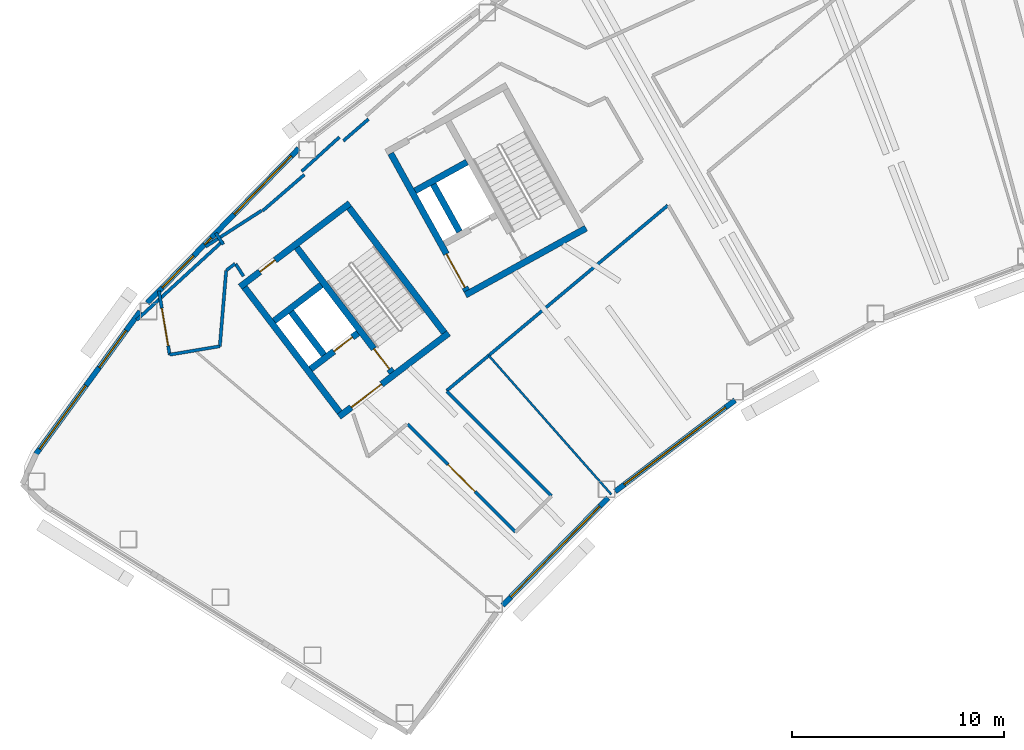
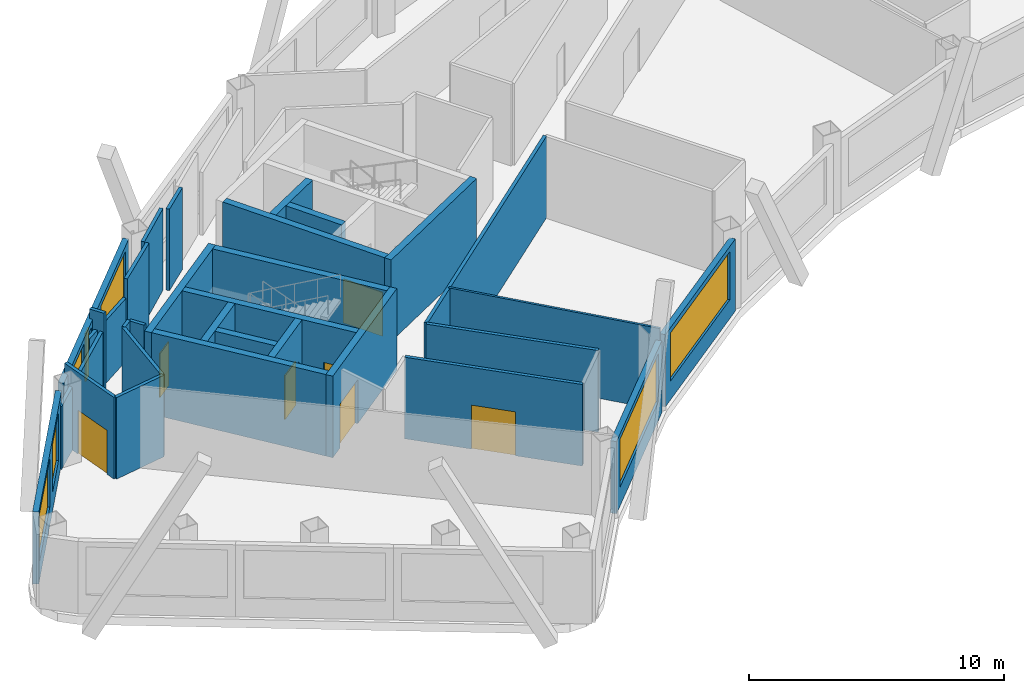
# One storey, part 5 of 13: 31 walls, 7 doors, 7 windows, 14 openings.
"""IFC4 building model written with IfcOpenShell, lengths in metres."""

from ifc_helpers import new_model, si_unit, direction, frame, frame_2d, origin, place, context, subcontext, project, spatial, rectangle, extrude, material, layer, layer_set, type_object, element, fill, save


model = new_model("IFC4")

# Units and contexts
model_context = context("Model", 3, precision=1e-05, world=origin(), true_north=direction((0.0, 1.0)))
body_context = subcontext(model_context, "Body", "Model", "MODEL_VIEW")
ifc_project = project(units=[si_unit("LENGTHUNIT", "METRE"), si_unit("AREAUNIT", "SQUARE_METRE"), si_unit("VOLUMEUNIT", "CUBIC_METRE"), si_unit("PLANEANGLEUNIT", "RADIAN"), si_unit("MASSUNIT", "GRAM", prefix="KILO")], contexts=[model_context])

# Site, building, storey
site_placement = place(None, origin())
site = spatial("IfcSite", under=ifc_project, at=site_placement, CompositionType="ELEMENT")
building_placement = place(site_placement, origin())
building = spatial("IfcBuilding", under=site, at=building_placement, Name="Tuul Gate Civic Tower", CompositionType="ELEMENT")
storey_placement = place(building_placement, frame((0.0, 0.0, 248.39990234375)))
storey = spatial("IfcBuildingStorey", under=building, at=storey_placement, Name="Level 56", CompositionType="ELEMENT", Elevation=248.39990234375)

# Wall, opening, door
ifc_material_1 = material(Name="Concrete C50/60", Category="concrete")
ifc_layer_1 = layer(ifc_material_1, 0.300048828125)
ifc_layer_set_1 = layer_set([ifc_layer_1], Name="Concrete C50/60")
wall_type_1 = type_object("IfcWallType", Name="Core wall C50/60", PredefinedType="SHEAR", material=ifc_layer_set_1)
wall_1_placement = place(storey_placement, frame((-31.19091796875, -13.669677734375, 0.0), z_axis=(0.0, 0.0, 1.0), x_axis=(-0.795606717756, -0.605813461934, 0.0)))
wall_1 = element("IfcWall", 1, at=wall_1_placement, inside=storey, type_object=wall_type_1, Name="Core wall", PredefinedType="SHEAR", context=body_context, shape_type="SweptSolid", body=[
    extrude(rectangle(XDim=6.5, YDim=0.300048828125, at=frame_2d((3.25, 0.0))), origin(), (0.0, 0.0, 1.0), 3.900146484375),
])
opening_1_placement = place(wall_1_placement, frame((3.97509765625, 0.0, 0.0)))
opening_1 = element("IfcOpeningElement", 2, at=opening_1_placement, cuts=wall_1, Name="Opening LB-W1-LOBBY-1", PredefinedType="OPENING", context=body_context, shape_type="SweptSolid", body=[
    extrude(rectangle(XDim=1.800048828125, YDim=2.10009765625, at=frame_2d((0.89990234375, 1.050048828125))), frame((0.0, 0.16015625, 0.0), z_axis=(0.0, -1.0, 0.0), x_axis=(1.0, 0.0, 0.0)), (0.0, 0.0, 1.0), 0.320068359375),
])
ifc_material_2 = material(Name="Steel", Category="steel")
door_type_1 = type_object("IfcDoorType", Name="Lobby door", OperationType="DOUBLE_DOOR_SINGLE_SWING", PredefinedType="DOOR", material=ifc_material_2)
door_1_placement = place(opening_1_placement, origin())
door_1 = element("IfcDoor", 3, at=door_1_placement, inside=storey, type_object=door_type_1, Name="Lobby door W1-LOBBY", OperationType="DOUBLE_DOOR_SINGLE_SWING", OverallHeight=2.10009765625, OverallWidth=1.800048828125, PredefinedType="DOOR", context=body_context, shape_type="SweptSolid", body=[
    extrude(rectangle(XDim=1.800048828125, YDim=2.10009765625, at=frame_2d((0.89990234375, 1.050048828125))), frame((0.0, 0.02490234375, 0.0), z_axis=(0.0, -1.0, 0.0), x_axis=(1.0, 0.0, 0.0)), (0.0, 0.0, 1.0), 0.050048828125),
])
fill(opening_1, door_1)

wall_2_placement = place(storey_placement, frame((-35.470947265625, -13.66064453125, 0.0), z_axis=(0.0, 0.0, 1.0), x_axis=(-0.795615822227, -0.605801504968, 0.0)))
wall_2 = element("IfcWall", 4, at=wall_2_placement, inside=storey, type_object=wall_type_1, Name="Core wall", PredefinedType="SHEAR", context=body_context, shape_type="SweptSolid", body=[
    extrude(rectangle(XDim=2.800048828125, YDim=0.300048828125, at=frame_2d((1.39990234375, 0.0))), origin(), (0.0, 0.0, 1.0), 3.900146484375),
])
opening_2_placement = place(wall_2_placement, frame((0.324951171875, 0.0, 0.0)))
opening_2 = element("IfcOpeningElement", 5, at=opening_2_placement, cuts=wall_2, Name="Opening LD-H1", PredefinedType="OPENING", context=body_context, shape_type="SweptSolid", body=[
    extrude(rectangle(XDim=1.10009765625, YDim=2.10009765625, at=frame_2d((0.550048828125, 1.050048828125))), frame((0.0, 0.16015625, 0.0), z_axis=(0.0, -1.0, 0.0), x_axis=(1.0, 0.0, 0.0)), (0.0, 0.0, 1.0), 0.320068359375),
])
ifc_material_3 = material(Name="Stainless steel", Category="steel")
door_type_2 = type_object("IfcDoorType", Name="Landing door", OperationType="DOUBLE_DOOR_SLIDING", PredefinedType="DOOR", material=ifc_material_3)
door_2_placement = place(opening_2_placement, origin())
door_2 = element("IfcDoor", 6, at=door_2_placement, inside=storey, type_object=door_type_2, Name="High-rise lift H1 landing door", OperationType="DOUBLE_DOOR_SLIDING", OverallHeight=2.10009765625, OverallWidth=1.10009765625, PredefinedType="DOOR", context=body_context, shape_type="SweptSolid", body=[
    extrude(rectangle(XDim=1.10009765625, YDim=2.10009765625, at=frame_2d((0.550048828125, 1.050048828125))), frame((0.0, 0.02490234375, 0.0), z_axis=(0.0, -1.0, 0.0), x_axis=(1.0, 0.0, 0.0)), (0.0, 0.0, 1.0), 0.050048828125),
])
fill(opening_2, door_2)

# Wall
wall_3_placement = place(storey_placement, frame((-37.197509765625, -11.39306640625, 0.0), z_axis=(0.0, 0.0, 1.0), x_axis=(-0.795583820278, -0.605843531707, 0.0)))
element("IfcWall", 7, at=wall_3_placement, inside=storey, type_object=wall_type_1, Name="Core wall", PredefinedType="SHEAR", context=body_context, shape_type="SweptSolid", body=[
    extrude(rectangle(XDim=2.7998046875, YDim=0.300048828125, at=frame_2d((1.39990234375, 0.0))), origin(), (0.0, 0.0, 1.0), 3.900146484375),
])

# Wall, opening, door
wall_4_placement = place(storey_placement, frame((-35.855224609375, -7.543212890625, 0.0), z_axis=(0.0, 0.0, 1.0), x_axis=(-0.79563860527, -0.605771582202, 0.0)))
wall_4 = element("IfcWall", 8, at=wall_4_placement, inside=storey, type_object=wall_type_1, Name="Core wall", PredefinedType="SHEAR", context=body_context, shape_type="SweptSolid", body=[
    extrude(rectangle(XDim=6.5, YDim=0.300048828125, at=frame_2d((3.25, 0.0))), origin(), (0.0, 0.0, 1.0), 3.900146484375),
])
opening_3_placement = place(wall_4_placement, frame((4.425048828125, 0.0, 0.0)))
opening_3 = element("IfcOpeningElement", 9, at=opening_3_placement, cuts=wall_4, Name="Opening U-D16", PredefinedType="OPENING", context=body_context, shape_type="SweptSolid", body=[
    extrude(rectangle(XDim=0.89990234375, YDim=2.10009765625, at=frame_2d((0.449951171875, 1.050048828125))), frame((0.0, 0.16015625, 0.0), z_axis=(0.0, -1.0, 0.0), x_axis=(1.0, 0.0, 0.0)), (0.0, 0.0, 1.0), 0.320068359375),
])
ifc_material_4 = material(Name="Timber door leaf", Category="wood")
door_type_3 = type_object("IfcDoorType", Name="Door D09", OperationType="NOTDEFINED", PredefinedType="DOOR", material=ifc_material_4)
door_3_placement = place(opening_3_placement, origin())
door_3 = element("IfcDoor", 10, at=door_3_placement, inside=storey, type_object=door_type_3, Name="Door U-D16", OperationType="SINGLE_SWING_LEFT", OverallHeight=2.10009765625, OverallWidth=0.89990234375, PredefinedType="DOOR", context=body_context, shape_type="SweptSolid", body=[
    extrude(rectangle(XDim=0.89990234375, YDim=2.10009765625, at=frame_2d((0.449951171875, 1.050048828125))), frame((0.0, 0.02490234375, 0.0), z_axis=(0.0, -1.0, 0.0), x_axis=(1.0, 0.0, 0.0)), (0.0, 0.0, 1.0), 0.050048828125),
])
fill(opening_3, door_3)

# Wall
wall_5_placement = place(storey_placement, frame((-31.401123046875, -13.64111328125, 0.0), z_axis=(0.0, 0.0, 1.0), x_axis=(-0.605769822278, 0.795639945213, 0.0)))
element("IfcWall", 11, at=wall_5_placement, inside=storey, type_object=wall_type_1, Name="Core wall", PredefinedType="SHEAR", context=body_context, shape_type="SweptSolid", body=[
    extrude(rectangle(XDim=7.39990234375, YDim=0.300048828125, at=frame_2d((3.699951171875, 0.0))), origin(), (0.0, 0.0, 1.0), 3.900146484375),
])

# Wall, opening, door
wall_6_placement = place(storey_placement, frame((-33.867431640625, -15.51904296875, 0.0), z_axis=(0.0, 0.0, 1.0), x_axis=(-0.605769822278, 0.795639945213, 0.0)))
wall_6 = element("IfcWall", 12, at=wall_6_placement, inside=storey, type_object=wall_type_1, Name="Core wall", PredefinedType="SHEAR", context=body_context, shape_type="SweptSolid", body=[
    extrude(rectangle(XDim=7.39990234375, YDim=0.300048828125, at=frame_2d((3.699951171875, 0.0))), origin(), (0.0, 0.0, 1.0), 3.900146484375),
])
opening_4_placement = place(wall_6_placement, frame((0.199951171875, 0.0, 0.0)))
opening_4 = element("IfcOpeningElement", 13, at=opening_4_placement, cuts=wall_6, Name="Opening SD-ST-1", PredefinedType="OPENING", context=body_context, shape_type="SweptSolid", body=[
    extrude(rectangle(XDim=1.199951171875, YDim=2.10009765625, at=frame_2d((0.60009765625, 1.050048828125))), frame((0.0, 0.16015625, 0.0), z_axis=(0.0, -1.0, 0.0), x_axis=(1.0, 0.0, 0.0)), (0.0, 0.0, 1.0), 0.320068359375),
])
ifc_material_5 = material(Name="Steel", Category="steel")
door_type_4 = type_object("IfcDoorType", Name="Stair door", OperationType="NOTDEFINED", PredefinedType="DOOR", material=ifc_material_5)
door_4_placement = place(opening_4_placement, origin())
door_4 = element("IfcDoor", 14, at=door_4_placement, inside=storey, type_object=door_type_4, Name="Stair door ST-1", OperationType="SINGLE_SWING_LEFT", OverallHeight=2.10009765625, OverallWidth=1.199951171875, PredefinedType="DOOR", context=body_context, shape_type="SweptSolid", body=[
    extrude(rectangle(XDim=1.199951171875, YDim=2.10009765625, at=frame_2d((0.60009765625, 1.050048828125))), frame((0.0, 0.02490234375, 0.0), z_axis=(0.0, -1.0, 0.0), x_axis=(1.0, 0.0, 0.0)), (0.0, 0.0, 1.0), 0.050048828125),
])
fill(opening_4, door_4)

# Walls
wall_7_placement = place(storey_placement, frame((-37.073486328125, -14.6923828125, 0.0), z_axis=(0.0, 0.0, 1.0), x_axis=(-0.605728760074, 0.79567120673, 0.0)))
element("IfcWall", 15, at=wall_7_placement, inside=storey, type_object=wall_type_1, Name="Core wall", PredefinedType="SHEAR", context=body_context, shape_type="SweptSolid", body=[
    extrude(rectangle(XDim=2.550048828125, YDim=0.300048828125, at=frame_2d((1.27490234375, 0.0))), origin(), (0.0, 0.0, 1.0), 3.900146484375),
])
wall_8_placement = place(storey_placement, frame((-36.333984375, -17.397216796875, 0.0), z_axis=(0.0, 0.0, 1.0), x_axis=(-0.605753921168, 0.795652051458, 0.0)))
element("IfcWall", 16, at=wall_8_placement, inside=storey, type_object=wall_type_1, Name="Core wall", PredefinedType="SHEAR", context=body_context, shape_type="SweptSolid", body=[
    extrude(rectangle(XDim=7.400146484375, YDim=0.300048828125, at=frame_2d((3.7001953125, 0.0))), origin(), (0.0, 0.0, 1.0), 3.900146484375),
])
wall_9_placement = place(storey_placement, frame((-24.711669921875, -8.7158203125, 0.0), z_axis=(0.0, 0.0, 1.0), x_axis=(-0.874629909008, -0.484791215132, 0.0)))
element("IfcWall", 17, at=wall_9_placement, inside=storey, type_object=wall_type_1, Name="Core wall", PredefinedType="SHEAR", context=body_context, shape_type="SweptSolid", body=[
    extrude(rectangle(XDim=6.5, YDim=0.300048828125, at=frame_2d((3.25, 0.0))), origin(), (0.0, 0.0, 1.0), 3.900146484375),
])
wall_10_placement = place(storey_placement, frame((-30.327392578125, -5.59716796875, 0.0), z_axis=(0.0, 0.0, 1.0), x_axis=(-0.874629840737, -0.484791338301, 0.0)))
element("IfcWall", 18, at=wall_10_placement, inside=storey, type_object=wall_type_1, Name="Core wall", PredefinedType="SHEAR", context=body_context, shape_type="SweptSolid", body=[
    extrude(rectangle(XDim=2.800048828125, YDim=0.300048828125, at=frame_2d((1.39990234375, 0.0))), origin(), (0.0, 0.0, 1.0), 3.900146484375),
])
wall_11_placement = place(storey_placement, frame((-30.680419921875, -8.8798828125, 0.0), z_axis=(0.0, 0.0, 1.0), x_axis=(-0.484724115216, 0.874667097888, 0.0)))
element("IfcWall", 19, at=wall_11_placement, inside=storey, type_object=wall_type_1, Name="Core wall", PredefinedType="SHEAR", context=body_context, shape_type="SweptSolid", body=[
    extrude(rectangle(XDim=2.550048828125, YDim=0.300048828125, at=frame_2d((1.27490234375, 0.0))), origin(), (0.0, 0.0, 1.0), 3.900146484375),
])

# Wall, opening, door
wall_12_placement = place(storey_placement, frame((-30.33837890625, -11.6630859375, 0.0), z_axis=(0.0, 0.0, 1.0), x_axis=(-0.484751894226, 0.874651702704, 0.0)))
wall_12 = element("IfcWall", 20, at=wall_12_placement, inside=storey, type_object=wall_type_1, Name="Core wall", PredefinedType="SHEAR", context=body_context, shape_type="SweptSolid", body=[
    extrude(rectangle(XDim=7.39990234375, YDim=0.300048828125, at=frame_2d((3.699951171875, 0.0))), origin(), (0.0, 0.0, 1.0), 3.900146484375),
])
opening_5_placement = place(wall_12_placement, frame((0.175048828125, 0.0, 0.0)))
opening_5 = element("IfcOpeningElement", 21, at=opening_5_placement, cuts=wall_12, Name="Opening LB-W2-FLOBBY-1", PredefinedType="OPENING", context=body_context, shape_type="SweptSolid", body=[
    extrude(rectangle(XDim=1.800048828125, YDim=2.10009765625, at=frame_2d((0.89990234375, 1.050048828125))), frame((0.0, 0.16015625, 0.0), z_axis=(0.0, -1.0, 0.0), x_axis=(1.0, 0.0, 0.0)), (0.0, 0.0, 1.0), 0.320068359375),
])
door_5_placement = place(opening_5_placement, origin())
door_5 = element("IfcDoor", 22, at=door_5_placement, inside=storey, type_object=door_type_1, Name="Lobby door W2-FLOBBY", OperationType="DOUBLE_DOOR_SINGLE_SWING", OverallHeight=2.10009765625, OverallWidth=1.800048828125, PredefinedType="DOOR", context=body_context, shape_type="SweptSolid", body=[
    extrude(rectangle(XDim=1.800048828125, YDim=2.10009765625, at=frame_2d((0.89990234375, 1.050048828125))), frame((0.0, 0.02490234375, 0.0), z_axis=(0.0, -1.0, 0.0), x_axis=(1.0, 0.0, 0.0)), (0.0, 0.0, 1.0), 0.050048828125),
])
fill(opening_5, door_5)

# Walls
ifc_material_6 = material(Name="Gypsum board partition")
ifc_layer_2 = layer(ifc_material_6, 0.14990234375)
ifc_layer_set_2 = layer_set([ifc_layer_2], Name="Gypsum board partition")
wall_type_2 = type_object("IfcWallType", Name="Corridor wall P150", PredefinedType="PARTITIONING", material=ifc_layer_set_2)
wall_13_placement = place(storey_placement, frame((-39.96533203125, -7.898193359375, 0.0), z_axis=(0.0, 0.0, 1.0), x_axis=(0.755667404035, 0.654955551529, 0.0)))
element("IfcWall", 23, at=wall_13_placement, inside=storey, type_object=wall_type_2, Name="p032", PredefinedType="PARTITIONING", context=body_context, shape_type="SweptSolid", body=[
    extrude(rectangle(XDim=2.60107421875, YDim=0.14990234375, at=frame_2d((1.300537109375, 0.0))), origin(), (0.0, 0.0, 1.0), 3.900146484375),
])
wall_14_placement = place(storey_placement, frame((-36.156982421875, -4.597412109375, 0.0), z_axis=(0.0, 0.0, 1.0), x_axis=(0.755709613156, 0.654906848783, 0.0)))
element("IfcWall", 24, at=wall_14_placement, inside=storey, type_object=wall_type_2, Name="p033", PredefinedType="PARTITIONING", context=body_context, shape_type="SweptSolid", body=[
    extrude(rectangle(XDim=1.5693359375, YDim=0.14990234375, at=frame_2d((0.78466796875, 0.0))), origin(), (0.0, 0.0, 1.0), 3.900146484375),
])
wall_15_placement = place(storey_placement, frame((-38.119873046875, -6.034912109375, 0.0), z_axis=(0.0, 0.0, 1.0), x_axis=(0.740216173835, 0.672368958231, 0.0)))
element("IfcWall", 25, at=wall_15_placement, inside=storey, type_object=wall_type_2, Name="p036", PredefinedType="PARTITIONING", context=body_context, shape_type="SweptSolid", body=[
    extrude(rectangle(XDim=2.400146484375, YDim=0.14990234375, at=frame_2d((1.2001953125, 0.0))), origin(), (0.0, 0.0, 1.0), 3.900146484375),
])
wall_16_placement = place(storey_placement, frame((-42.174560546875, -8.940185546875, 0.0), z_axis=(0.0, 0.0, 1.0), x_axis=(0.539372969986, -0.842066980263, 0.0)))
element("IfcWall", 26, at=wall_16_placement, inside=storey, type_object=wall_type_2, Name="p039", PredefinedType="PARTITIONING", context=body_context, shape_type="SweptSolid", body=[
    extrude(rectangle(XDim=0.65087890625, YDim=0.14990234375, at=frame_2d((0.325439453125, 0.0))), origin(), (0.0, 0.0, 1.0), 3.900146484375),
])
wall_17_placement = place(storey_placement, frame((-41.2392578125, -10.39990234375, 0.0), z_axis=(0.0, 0.0, 1.0), x_axis=(0.539344708259, -0.842085082206, 0.0)))
element("IfcWall", 27, at=wall_17_placement, inside=storey, type_object=wall_type_2, Name="p040", PredefinedType="PARTITIONING", context=body_context, shape_type="SweptSolid", body=[
    extrude(rectangle(XDim=0.6904296875, YDim=0.14990234375, at=frame_2d((0.34521484375, 0.0))), origin(), (0.0, 0.0, 1.0), 3.900146484375),
])

# Wall, opening, door
wall_18_placement = place(storey_placement, frame((-44.85498046875, -11.6748046875, 0.0), z_axis=(0.0, 0.0, 1.0), x_axis=(0.165255845903, -0.986250731505, 0.0)))
wall_18 = element("IfcWall", 28, at=wall_18_placement, inside=storey, type_object=wall_type_2, Name="p041", PredefinedType="PARTITIONING", context=body_context, shape_type="SweptSolid", body=[
    extrude(rectangle(XDim=3.04931640625, YDim=0.14990234375, at=frame_2d((1.524658203125, 0.0))), origin(), (0.0, 0.0, 1.0), 3.900146484375),
])
opening_6_placement = place(wall_18_placement, frame((0.828857421875, 0.0, 0.0)))
opening_6 = element("IfcOpeningElement", 29, at=opening_6_placement, cuts=wall_18, Name="Opening U-D06", PredefinedType="OPENING", context=body_context, shape_type="SweptSolid", body=[
    extrude(rectangle(XDim=1.800048828125, YDim=2.10009765625, at=frame_2d((0.89990234375, 1.050048828125))), frame((0.0, 0.0849609375, 0.0), z_axis=(0.0, -1.0, 0.0), x_axis=(1.0, 0.0, 0.0)), (0.0, 0.0, 1.0), 0.169921875),
])
ifc_material_7 = material(Name="Timber door leaf, double", Category="wood")
door_type_5 = type_object("IfcDoorType", Name="Door D18", OperationType="DOUBLE_DOOR_SINGLE_SWING", PredefinedType="DOOR", material=ifc_material_7)
door_6_placement = place(opening_6_placement, origin())
door_6 = element("IfcDoor", 30, at=door_6_placement, inside=storey, type_object=door_type_5, Name="Door U-D06", OperationType="DOUBLE_DOOR_SINGLE_SWING", OverallHeight=2.10009765625, OverallWidth=1.800048828125, PredefinedType="DOOR", context=body_context, shape_type="SweptSolid", body=[
    extrude(rectangle(XDim=1.800048828125, YDim=2.10009765625, at=frame_2d((0.89990234375, 1.050048828125))), frame((0.0, 0.02490234375, 0.0), z_axis=(0.0, -1.0, 0.0), x_axis=(1.0, 0.0, 0.0)), (0.0, 0.0, 1.0), 0.050048828125),
])
fill(opening_6, door_6)

# Walls
wall_19_placement = place(storey_placement, frame((-44.35107421875, -14.68212890625, 0.0), z_axis=(0.0, 0.0, 1.0), x_axis=(0.986253316236, 0.165240419433, 0.0)))
element("IfcWall", 31, at=wall_19_placement, inside=storey, type_object=wall_type_2, Name="p042", PredefinedType="PARTITIONING", context=body_context, shape_type="SweptSolid", body=[
    extrude(rectangle(XDim=2.3994140625, YDim=0.14990234375, at=frame_2d((1.19970703125, 0.0))), origin(), (0.0, 0.0, 1.0), 3.900146484375),
])
wall_20_placement = place(storey_placement, frame((-31.283203125, -16.38232421875, 0.0), z_axis=(0.0, 0.0, 1.0), x_axis=(0.766345700794, 0.642428413813, 0.0)))
element("IfcWall", 32, at=wall_20_placement, inside=storey, type_object=wall_type_2, Name="p060", PredefinedType="PARTITIONING", context=body_context, shape_type="SweptSolid", body=[
    extrude(rectangle(XDim=13.606201171875, YDim=0.14990234375, at=frame_2d((6.80322265625, 0.0))), origin(), (0.0, 0.0, 1.0), 3.900146484375),
])
wall_21_placement = place(storey_placement, frame((-41.984130859375, -14.284912109375, 0.0), z_axis=(0.0, 0.0, 1.0), x_axis=(0.083948445935, 0.996470099112, 0.0)))
element("IfcWall", 33, at=wall_21_placement, inside=storey, type_object=wall_type_2, Name="p073", PredefinedType="PARTITIONING", context=body_context, shape_type="SweptSolid", body=[
    extrude(rectangle(XDim=3.580078125, YDim=0.14990234375, at=frame_2d((1.7900390625, 0.0))), origin(), (0.0, 0.0, 1.0), 3.900146484375),
])
wall_22_placement = place(storey_placement, frame((-41.675537109375, -10.703369140625, 0.0), z_axis=(0.0, 0.0, 1.0), x_axis=(0.797307327039, 0.603573546678, 0.0)))
element("IfcWall", 34, at=wall_22_placement, inside=storey, type_object=wall_type_2, Name="p074", PredefinedType="PARTITIONING", context=body_context, shape_type="SweptSolid", body=[
    extrude(rectangle(XDim=0.512939453125, YDim=0.14990234375, at=frame_2d((0.25634765625, 0.0))), origin(), (0.0, 0.0, 1.0), 3.900146484375),
])

# Wall, opening, door
wall_23_placement = place(storey_placement, frame((-33.13330078125, -17.957275390625, 0.0), z_axis=(0.0, 0.0, 1.0), x_axis=(0.707123737574, -0.707089824393, 0.0)))
wall_23 = element("IfcWall", 35, at=wall_23_placement, inside=storey, type_object=wall_type_2, Name="p077", PredefinedType="PARTITIONING", context=body_context, shape_type="SweptSolid", body=[
    extrude(rectangle(XDim=7.198974609375, YDim=0.14990234375, at=frame_2d((3.599609375, 0.0))), origin(), (0.0, 0.0, 1.0), 3.900146484375),
])
opening_7_placement = place(wall_23_placement, frame((2.699462890625, 0.0, 0.0)))
opening_7 = element("IfcOpeningElement", 36, at=opening_7_placement, cuts=wall_23, Name="Opening U-D10", PredefinedType="OPENING", context=body_context, shape_type="SweptSolid", body=[
    extrude(rectangle(XDim=1.800048828125, YDim=2.10009765625, at=frame_2d((0.89990234375, 1.050048828125))), frame((0.0, 0.0849609375, 0.0), z_axis=(0.0, -1.0, 0.0), x_axis=(1.0, 0.0, 0.0)), (0.0, 0.0, 1.0), 0.169921875),
])
door_7_placement = place(opening_7_placement, frame((1.800048828125, 0.0, 0.0), z_axis=(0.0, 0.0, 1.0), x_axis=(-1.0, 0.0, 0.0)))
door_7 = element("IfcDoor", 37, at=door_7_placement, inside=storey, type_object=door_type_5, Name="Door U-D10", OperationType="DOUBLE_DOOR_SINGLE_SWING", OverallHeight=2.10009765625, OverallWidth=1.800048828125, PredefinedType="DOOR", context=body_context, shape_type="SweptSolid", body=[
    extrude(rectangle(XDim=1.800048828125, YDim=2.10009765625, at=frame_2d((0.900146484375, 1.050048828125))), frame((0.0, 0.02490234375, 0.0), z_axis=(0.0, -1.0, 0.0), x_axis=(1.0, 0.0, 0.0)), (0.0, 0.0, 1.0), 0.050048828125),
])
fill(opening_7, door_7)

# Walls
wall_24_placement = place(storey_placement, frame((-31.284423828125, -16.411865234375, 0.0), z_axis=(0.0, 0.0, 1.0), x_axis=(0.707106781187, -0.707106781187, 0.0)))
element("IfcWall", 38, at=wall_24_placement, inside=storey, type_object=wall_type_2, Name="p079", PredefinedType="PARTITIONING", context=body_context, shape_type="SweptSolid", body=[
    extrude(rectangle(XDim=6.984375, YDim=0.14990234375, at=frame_2d((3.4921875, 0.0))), origin(), (0.0, 0.0, 1.0), 3.900146484375),
])
ifc_material_8 = material(Name="Gypsum board partition")
ifc_layer_3 = layer(ifc_material_8, 0.14990234375)
ifc_layer_set_3 = layer_set([ifc_layer_3], Name="Gypsum board partition")
wall_type_3 = type_object("IfcWallType", Name="Corridor wall P150 3000 HIGH", PredefinedType="PARTITIONING", material=ifc_layer_set_3)
wall_25_placement = place(storey_placement, frame((-45.907470703125, -13.0478515625, 0.0), z_axis=(0.0, 0.0, 1.0), x_axis=(0.737529495055, 0.675314922035, 0.0)))
element("IfcWall", 39, at=wall_25_placement, inside=storey, type_object=wall_type_3, Name="p031", PredefinedType="PARTITIONING", context=body_context, shape_type="SweptSolid", body=[
    extrude(rectangle(XDim=5.533203125, YDim=0.14990234375, at=frame_2d((2.7666015625, 0.0))), origin(), (0.0, 0.0, 1.0), 3.0),
])
wall_26_placement = place(storey_placement, frame((-42.650390625, -9.583984375, 0.0), z_axis=(0.0, 0.0, 1.0), x_axis=(0.840981405699, 0.541064021415, 0.0)))
element("IfcWall", 40, at=wall_26_placement, inside=storey, type_object=wall_type_3, Name="p037", PredefinedType="PARTITIONING", context=body_context, shape_type="SweptSolid", body=[
    extrude(rectangle(XDim=3.140625, YDim=0.14990234375, at=frame_2d((1.5703125, 0.0))), origin(), (0.0, 0.0, 1.0), 3.0),
])

# Wall, openings, windows
ifc_material_9 = material(Name="Precast concrete C40/50", Category="concrete")
ifc_layer_4 = layer(ifc_material_9, 0.25)
ifc_layer_set_4 = layer_set([ifc_layer_4], Name="Precast concrete C40/50")
wall_type_4 = type_object("IfcWallType", Name="External wall", PredefinedType="STANDARD", material=ifc_layer_set_4)
wall_27_placement = place(storey_placement, frame((-38.26708984375, -4.960693359375, 0.0), z_axis=(0.0, 0.0, 1.0), x_axis=(-0.699995514974, -0.714147239031, 0.0)))
wall_27 = element("IfcWall", 41, at=wall_27_placement, inside=storey, type_object=wall_type_4, Name="External wall", PredefinedType="STANDARD", context=body_context, shape_type="SweptSolid", body=[
    extrude(rectangle(XDim=10.19580078125, YDim=0.25, at=frame_2d((5.097900390625, 0.0))), origin(), (0.0, 0.0, 1.0), 3.4501953125),
])
opening_8_placement = place(wall_27_placement, frame((0.487548828125, 0.0, 0.89990234375)))
opening_8 = element("IfcOpeningElement", 42, at=opening_8_placement, cuts=wall_27, Name="Opening W22", PredefinedType="OPENING", context=body_context, shape_type="SweptSolid", body=[
    extrude(rectangle(XDim=3.85009765625, YDim=2.300048828125, at=frame_2d((1.925048828125, 1.14990234375))), frame((0.0, 0.135009765625, 0.0), z_axis=(0.0, -1.0, 0.0), x_axis=(1.0, 0.0, 0.0)), (0.0, 0.0, 1.0), 0.27001953125),
])
opening_9_placement = place(wall_27_placement, frame((5.885009765625, 0.0, 0.89990234375)))
opening_9 = element("IfcOpeningElement", 43, at=opening_9_placement, cuts=wall_27, Name="Opening W128", PredefinedType="OPENING", context=body_context, shape_type="SweptSolid", body=[
    extrude(rectangle(XDim=0.449951171875, YDim=2.300048828125, at=frame_2d((0.22509765625, 1.14990234375))), frame((0.0, 0.135009765625, 0.0), z_axis=(0.0, -1.0, 0.0), x_axis=(1.0, 0.0, 0.0)), (0.0, 0.0, 1.0), 0.27001953125),
])
opening_10_placement = place(wall_27_placement, frame((7.082275390625, 0.0, 0.89990234375)))
opening_10 = element("IfcOpeningElement", 44, at=opening_10_placement, cuts=wall_27, Name="Opening W40", PredefinedType="OPENING", context=body_context, shape_type="SweptSolid", body=[
    extrude(rectangle(XDim=2.10009765625, YDim=2.300048828125, at=frame_2d((1.050048828125, 1.14990234375))), frame((0.0, 0.135009765625, 0.0), z_axis=(0.0, -1.0, 0.0), x_axis=(1.0, 0.0, 0.0)), (0.0, 0.0, 1.0), 0.27001953125),
])
ifc_material_10 = material(Name="Glass", Category="glass")
window_type_1 = type_object("IfcWindowType", Name="Window 2100 x 2300", PartitioningType="SINGLE_PANEL", PredefinedType="WINDOW", material=ifc_material_10)
window_1_placement = place(opening_10_placement, origin())
window_1 = element("IfcWindow", 45, at=window_1_placement, inside=storey, type_object=window_type_1, Name="Window", OverallHeight=2.300048828125, OverallWidth=2.10009765625, PartitioningType="SINGLE_PANEL", PredefinedType="WINDOW", context=body_context, shape_type="SweptSolid", body=[
    extrude(rectangle(XDim=2.10009765625, YDim=2.300048828125, at=frame_2d((1.050048828125, 1.14990234375))), frame((0.0, 0.030029296875, 0.0), z_axis=(0.0, -1.0, 0.0), x_axis=(1.0, 0.0, 0.0)), (0.0, 0.0, 1.0), 0.06005859375),
])
fill(opening_10, window_1)
ifc_material_11 = material(Name="Glass", Category="glass")
window_type_2 = type_object("IfcWindowType", Name="Window W128 450 x 2300", PartitioningType="SINGLE_PANEL", PredefinedType="WINDOW", material=ifc_material_11)
window_2_placement = place(opening_9_placement, origin())
window_2 = element("IfcWindow", 46, at=window_2_placement, inside=storey, type_object=window_type_2, Name="Window", OverallHeight=2.300048828125, OverallWidth=0.449951171875, PartitioningType="SINGLE_PANEL", PredefinedType="WINDOW", context=body_context, shape_type="SweptSolid", body=[
    extrude(rectangle(XDim=0.449951171875, YDim=2.300048828125, at=frame_2d((0.22509765625, 1.14990234375))), frame((0.0, 0.030029296875, 0.0), z_axis=(0.0, -1.0, 0.0), x_axis=(1.0, 0.0, 0.0)), (0.0, 0.0, 1.0), 0.06005859375),
])
fill(opening_9, window_2)
ifc_material_12 = material(Name="Glass", Category="glass")
window_type_3 = type_object("IfcWindowType", Name="Window W22 3850 x 2300", PartitioningType="SINGLE_PANEL", PredefinedType="WINDOW", material=ifc_material_12)
window_3_placement = place(opening_8_placement, origin())
window_3 = element("IfcWindow", 47, at=window_3_placement, inside=storey, type_object=window_type_3, Name="Window", OverallHeight=2.300048828125, OverallWidth=3.85009765625, PartitioningType="SINGLE_PANEL", PredefinedType="WINDOW", context=body_context, shape_type="SweptSolid", body=[
    extrude(rectangle(XDim=3.85009765625, YDim=2.300048828125, at=frame_2d((1.925048828125, 1.14990234375))), frame((0.0, 0.030029296875, 0.0), z_axis=(0.0, -1.0, 0.0), x_axis=(1.0, 0.0, 0.0)), (0.0, 0.0, 1.0), 0.06005859375),
])
fill(opening_8, window_3)

wall_28_placement = place(storey_placement, frame((-45.740966796875, -12.638671875, 0.0), z_axis=(0.0, 0.0, 1.0), x_axis=(-0.589821256366, -0.807533829346, 0.0)))
wall_28 = element("IfcWall", 48, at=wall_28_placement, inside=storey, type_object=wall_type_4, Name="External wall", PredefinedType="STANDARD", context=body_context, shape_type="SweptSolid", body=[
    extrude(rectangle(XDim=8.33642578125, YDim=0.25, at=frame_2d((4.168212890625, 0.0))), origin(), (0.0, 0.0, 1.0), 3.4501953125),
])
opening_11_placement = place(wall_28_placement, frame((4.3359375, 0.0, 0.89990234375)))
opening_11 = element("IfcOpeningElement", 49, at=opening_11_placement, cuts=wall_28, Name="Opening W21", PredefinedType="OPENING", context=body_context, shape_type="SweptSolid", body=[
    extrude(rectangle(XDim=3.699951171875, YDim=2.300048828125, at=frame_2d((1.85009765625, 1.14990234375))), frame((0.0, 0.135009765625, 0.0), z_axis=(0.0, -1.0, 0.0), x_axis=(1.0, 0.0, 0.0)), (0.0, 0.0, 1.0), 0.27001953125),
])
opening_12_placement = place(wall_28_placement, frame((1.125244140625, 0.0, 0.89990234375)))
opening_12 = element("IfcOpeningElement", 50, at=opening_12_placement, cuts=wall_28, Name="Opening W65", PredefinedType="OPENING", context=body_context, shape_type="SweptSolid", body=[
    extrude(rectangle(XDim=2.14990234375, YDim=2.300048828125, at=frame_2d((1.074951171875, 1.14990234375))), frame((0.0, 0.135009765625, 0.0), z_axis=(0.0, -1.0, 0.0), x_axis=(1.0, 0.0, 0.0)), (0.0, 0.0, 1.0), 0.27001953125),
])
ifc_material_13 = material(Name="Glass", Category="glass")
window_type_4 = type_object("IfcWindowType", Name="Window 2150 x 2300", PartitioningType="SINGLE_PANEL", PredefinedType="WINDOW", material=ifc_material_13)
window_4_placement = place(opening_12_placement, origin())
window_4 = element("IfcWindow", 51, at=window_4_placement, inside=storey, type_object=window_type_4, Name="Window", OverallHeight=2.300048828125, OverallWidth=2.14990234375, PartitioningType="SINGLE_PANEL", PredefinedType="WINDOW", context=body_context, shape_type="SweptSolid", body=[
    extrude(rectangle(XDim=2.14990234375, YDim=2.300048828125, at=frame_2d((1.074951171875, 1.14990234375))), frame((0.0, 0.030029296875, 0.0), z_axis=(0.0, -1.0, 0.0), x_axis=(1.0, 0.0, 0.0)), (0.0, 0.0, 1.0), 0.06005859375),
])
fill(opening_12, window_4)
ifc_material_14 = material(Name="Glass", Category="glass")
window_type_5 = type_object("IfcWindowType", Name="Window W21 3700 x 2300", PartitioningType="SINGLE_PANEL", PredefinedType="WINDOW", material=ifc_material_14)
window_5_placement = place(opening_11_placement, origin())
window_5 = element("IfcWindow", 52, at=window_5_placement, inside=storey, type_object=window_type_5, Name="Window", OverallHeight=2.300048828125, OverallWidth=3.699951171875, PartitioningType="SINGLE_PANEL", PredefinedType="WINDOW", context=body_context, shape_type="SweptSolid", body=[
    extrude(rectangle(XDim=3.699951171875, YDim=2.300048828125, at=frame_2d((1.85009765625, 1.14990234375))), frame((0.0, 0.030029296875, 0.0), z_axis=(0.0, -1.0, 0.0), x_axis=(1.0, 0.0, 0.0)), (0.0, 0.0, 1.0), 0.06005859375),
])
fill(opening_11, window_5)

# Wall, opening, window
wall_29_placement = place(storey_placement, frame((-28.64990234375, -26.50634765625, 0.0), z_axis=(0.0, 0.0, 1.0), x_axis=(0.700015105418, 0.714128036269, 0.0)))
wall_29 = element("IfcWall", 53, at=wall_29_placement, inside=storey, type_object=wall_type_4, Name="External wall", PredefinedType="STANDARD", context=body_context, shape_type="SweptSolid", body=[
    extrude(rectangle(XDim=7.10986328125, YDim=0.25, at=frame_2d((3.554931640625, 0.0))), origin(), (0.0, 0.0, 1.0), 3.4501953125),
])
opening_13_placement = place(wall_29_placement, frame((0.555908203125, 0.0, 0.89990234375)))
opening_13 = element("IfcOpeningElement", 54, at=opening_13_placement, cuts=wall_29, Name="Opening W26", PredefinedType="OPENING", context=body_context, shape_type="SweptSolid", body=[
    extrude(rectangle(XDim=6.0, YDim=2.300048828125, at=frame_2d((3.0, 1.14990234375))), frame((0.0, 0.135009765625, 0.0), z_axis=(0.0, -1.0, 0.0), x_axis=(1.0, 0.0, 0.0)), (0.0, 0.0, 1.0), 0.27001953125),
])
ifc_material_15 = material(Name="Glass", Category="glass")
window_type_6 = type_object("IfcWindowType", Name="Window W26 6000 x 2300", PartitioningType="SINGLE_PANEL", PredefinedType="WINDOW", material=ifc_material_15)
window_6_placement = place(opening_13_placement, origin())
window_6 = element("IfcWindow", 55, at=window_6_placement, inside=storey, type_object=window_type_6, Name="Window", OverallHeight=2.300048828125, OverallWidth=6.0, PartitioningType="SINGLE_PANEL", PredefinedType="WINDOW", context=body_context, shape_type="SweptSolid", body=[
    extrude(rectangle(XDim=6.0, YDim=2.300048828125, at=frame_2d((3.0, 1.14990234375))), frame((0.0, 0.030029296875, 0.0), z_axis=(0.0, -1.0, 0.0), x_axis=(1.0, 0.0, 0.0)), (0.0, 0.0, 1.0), 0.06005859375),
])
fill(opening_13, window_6)

wall_30_placement = place(storey_placement, frame((-23.3359375, -21.133056640625, 0.0), z_axis=(0.0, 0.0, 1.0), x_axis=(0.795636022241, 0.605774974815, 0.0)))
wall_30 = element("IfcWall", 56, at=wall_30_placement, inside=storey, type_object=wall_type_4, Name="External wall", PredefinedType="STANDARD", context=body_context, shape_type="SweptSolid", body=[
    extrude(rectangle(XDim=7.103271484375, YDim=0.25, at=frame_2d((3.5517578125, 0.0))), origin(), (0.0, 0.0, 1.0), 3.4501953125),
])
opening_14_placement = place(wall_30_placement, frame((0.540771484375, 0.0, 0.89990234375)))
opening_14 = element("IfcOpeningElement", 57, at=opening_14_placement, cuts=wall_30, Name="Opening W26", PredefinedType="OPENING", context=body_context, shape_type="SweptSolid", body=[
    extrude(rectangle(XDim=6.0, YDim=2.300048828125, at=frame_2d((3.0, 1.14990234375))), frame((0.0, 0.135009765625, 0.0), z_axis=(0.0, -1.0, 0.0), x_axis=(1.0, 0.0, 0.0)), (0.0, 0.0, 1.0), 0.27001953125),
])
window_7_placement = place(opening_14_placement, origin())
window_7 = element("IfcWindow", 58, at=window_7_placement, inside=storey, type_object=window_type_6, Name="Window", OverallHeight=2.300048828125, OverallWidth=6.0, PartitioningType="SINGLE_PANEL", PredefinedType="WINDOW", context=body_context, shape_type="SweptSolid", body=[
    extrude(rectangle(XDim=6.0, YDim=2.300048828125, at=frame_2d((3.0, 1.14990234375))), frame((0.0, 0.030029296875, 0.0), z_axis=(0.0, -1.0, 0.0), x_axis=(1.0, 0.0, 0.0)), (0.0, 0.0, 1.0), 0.06005859375),
])
fill(opening_14, window_7)

# Wall
ifc_material_16 = material(Name="Gypsum board partition")
ifc_layer_5 = layer(ifc_material_16, 0.10009765625)
ifc_layer_set_5 = layer_set([ifc_layer_5], Name="Gypsum board partition")
wall_type_5 = type_object("IfcWallType", Name="Partition P100", PredefinedType="PARTITIONING", material=ifc_layer_set_5)
wall_31_placement = place(storey_placement, frame((-29.302001953125, -14.7216796875, 0.0), z_axis=(0.0, 0.0, 1.0), x_axis=(0.661683512778, -0.749783254626, 0.0)))
element("IfcWall", 59, at=wall_31_placement, inside=storey, type_object=wall_type_5, Name="p067", PredefinedType="PARTITIONING", context=body_context, shape_type="SweptSolid", body=[
    extrude(rectangle(XDim=8.7431640625, YDim=0.10009765625, at=frame_2d((4.37158203125, 0.0))), origin(), (0.0, 0.0, 1.0), 3.900146484375),
])

save(model, "model.ifc")
